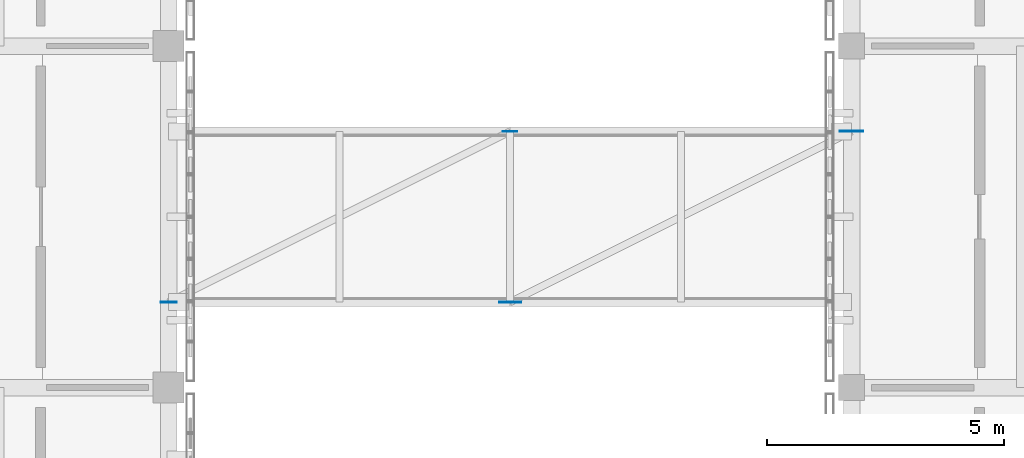
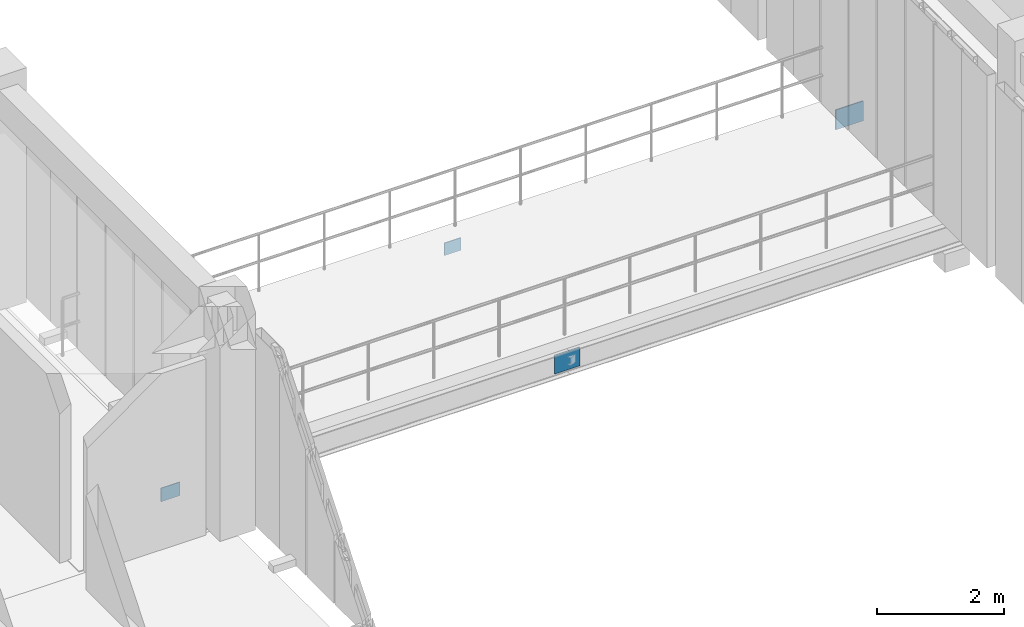
# One storey, part 62 of 91: 4 plates.
"""IFC4 building model written with IfcOpenShell, lengths in metres."""

from ifc_helpers import new_model, si_unit, direction, frame, origin, origin_2d, place, context, subcontext, project, spatial, rectangle, extrude, material, layer, layer_set, type_object, element, save


model = new_model("IFC4")

# Units and contexts
model_context = context("Model", 3, precision=1e-05, world=origin(), true_north=direction((0.0, 1.0)))
body_context = subcontext(model_context, "Body", "Model", "MODEL_VIEW")
ifc_project = project(units=[si_unit("LENGTHUNIT", "METRE"), si_unit("AREAUNIT", "SQUARE_METRE"), si_unit("VOLUMEUNIT", "CUBIC_METRE"), si_unit("PLANEANGLEUNIT", "RADIAN"), si_unit("MASSUNIT", "GRAM", prefix="KILO")], contexts=[model_context])

# Site, building, storey
site_placement = place(None, origin())
site = spatial("IfcSite", under=ifc_project, at=site_placement, CompositionType="ELEMENT")
building_placement = place(site_placement, origin())
building = spatial("IfcBuilding", under=site, at=building_placement, Name="Aldebral Square Health Centre", CompositionType="ELEMENT")
storey_placement = place(building_placement, frame((0.0, 0.0, 9.0)))
storey = spatial("IfcBuildingStorey", under=building, at=storey_placement, Name="L02", CompositionType="ELEMENT", Elevation=9.0)

# Plates
ifc_material = material(Name="Steel S355JR", Category="steel")
ifc_layer_1 = layer(ifc_material, 0.013916015625, Name="Steel S355JR", Category="steel")
ifc_layer_set_1 = layer_set([ifc_layer_1], Name="Steel S355JR")
plate_type_1 = type_object("IfcPlateType", Name="PL-GUS-3", PredefinedType="USERDEFINED", material=ifc_layer_set_1)
plate_1_placement = place(storey_placement, frame((7.199951171875, 81.0, -0.5751953125), z_axis=(0.0, 0.0, 1.0), x_axis=(1.0, 0.0, 0.0)))
element("IfcPlate", 1, at=plate_1_placement, inside=storey, type_object=plate_type_1, Name="West Light Court Bridge L02 plan brace 1 start gusset plate", ObjectType="GUSSET_PLATE", PredefinedType="USERDEFINED", context=body_context, shape_type="SweptSolid", body=[
    extrude(rectangle(XDim=0.340087890625, YDim=0.013916015625, at=origin_2d()), origin(), (0.0, 0.0, 1.0), 0.260009765625),
])
ifc_layer_2 = layer(ifc_material, 0.013916015625, Name="Steel S355JR", Category="steel")
ifc_layer_set_2 = layer_set([ifc_layer_2], Name="Steel S355JR")
plate_type_2 = type_object("IfcPlateType", Name="PL-GUS-4", PredefinedType="USERDEFINED", material=ifc_layer_set_2)
plate_2_placement = place(storey_placement, frame((14.39990234375, 84.60009765625, -0.56494140625), z_axis=(0.0, 0.0, 1.0), x_axis=(1.0, 0.0, 0.0)))
element("IfcPlate", 2, at=plate_2_placement, inside=storey, type_object=plate_type_2, Name="West Light Court Bridge L02 plan brace 1 end gusset plate", ObjectType="GUSSET_PLATE", PredefinedType="USERDEFINED", context=body_context, shape_type="SweptSolid", body=[
    extrude(rectangle(XDim=0.300048828125, YDim=0.013916015625, at=origin_2d()), origin(), (0.0, 0.0, 1.0), 0.239990234375),
])
ifc_layer_3 = layer(ifc_material, 0.01806640625, Name="Steel S355JR", Category="steel")
ifc_layer_set_3 = layer_set([ifc_layer_3], Name="Steel S355JR")
plate_type_3 = type_object("IfcPlateType", Name="PL-GUS-5", PredefinedType="USERDEFINED", material=ifc_layer_set_3)
plate_3_placement = place(storey_placement, frame((14.39990234375, 81.0, -0.625), z_axis=(0.0, 0.0, 1.0), x_axis=(1.0, 0.0, 0.0)))
element("IfcPlate", 3, at=plate_3_placement, inside=storey, type_object=plate_type_3, Name="West Light Court Bridge L02 plan brace 2 start gusset plate", ObjectType="GUSSET_PLATE", PredefinedType="USERDEFINED", context=body_context, shape_type="SweptSolid", body=[
    extrude(rectangle(XDim=0.4599609375, YDim=0.01806640625, at=origin_2d()), origin(), (0.0, 0.0, 1.0), 0.360107421875),
])
ifc_layer_4 = layer(ifc_material, 0.02001953125, Name="Steel S355JR", Category="steel")
ifc_layer_set_4 = layer_set([ifc_layer_4], Name="Steel S355JR")
plate_type_4 = type_object("IfcPlateType", Name="PL-GUS-6", PredefinedType="USERDEFINED", material=ifc_layer_set_4)
plate_4_placement = place(storey_placement, frame((21.60009765625, 84.60009765625, -0.635009765625), z_axis=(0.0, 0.0, 1.0), x_axis=(1.0, 0.0, 0.0)))
element("IfcPlate", 4, at=plate_4_placement, inside=storey, type_object=plate_type_4, Name="West Light Court Bridge L02 plan brace 2 end gusset plate", ObjectType="GUSSET_PLATE", PredefinedType="USERDEFINED", context=body_context, shape_type="SweptSolid", body=[
    extrude(rectangle(XDim=0.5, YDim=0.02001953125, at=origin_2d()), origin(), (0.0, 0.0, 1.0), 0.3798828125),
])

save(model, "model.ifc")
